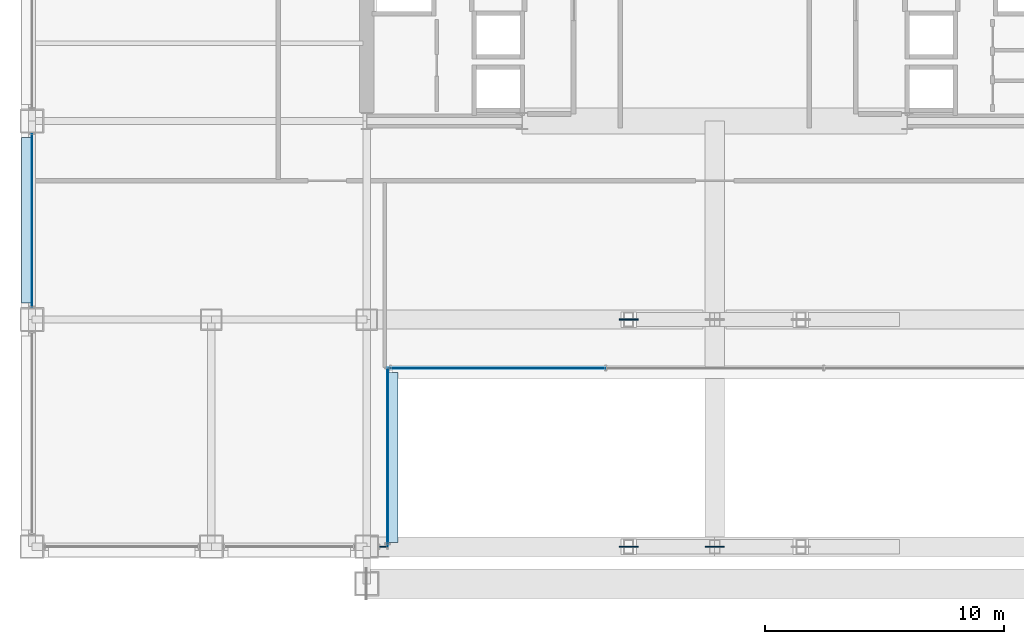
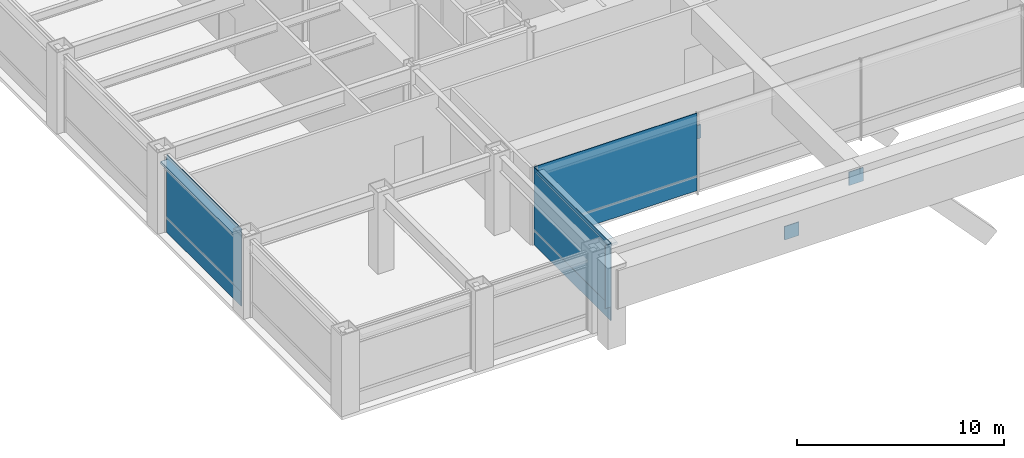
# One storey, part 24 of 37: 12 plates, 4 elements without a shape of their own.
"""IFC4 building model written with IfcOpenShell, lengths in metres."""

from ifc_helpers import new_model, si_unit, direction, frame, origin, origin_2d, place, context, subcontext, project, spatial, rectangle, extrude, material, layer, layer_set, type_object, element, aggregate, save


model = new_model("IFC4")

# Units and contexts
model_context = context("Model", 3, precision=1e-05, world=origin(), true_north=direction((0.0, 1.0)))
body_context = subcontext(model_context, "Body", "Model", "MODEL_VIEW")
ifc_project = project(units=[si_unit("LENGTHUNIT", "METRE"), si_unit("AREAUNIT", "SQUARE_METRE"), si_unit("VOLUMEUNIT", "CUBIC_METRE"), si_unit("PLANEANGLEUNIT", "RADIAN"), si_unit("MASSUNIT", "GRAM", prefix="KILO")], contexts=[model_context])

# Site, building, storey
site_placement = place(None, origin())
site = spatial("IfcSite", under=ifc_project, at=site_placement, CompositionType="ELEMENT")
building_placement = place(site_placement, origin())
building = spatial("IfcBuilding", under=site, at=building_placement, Name="Brelmoor Portico Tower", CompositionType="ELEMENT")
storey_placement = place(building_placement, frame((0.0, 0.0, 14.39990234375)))
storey = spatial("IfcBuildingStorey", under=building, at=storey_placement, Name="L03", CompositionType="ELEMENT", Elevation=14.39990234375)

# Curtain wall, plate
ifc_material_1 = material(Name="Anodised Aluminium Alloy 6063-T6", Category="aluminium")
ifc_layer_1 = layer(ifc_material_1, 0.179931640625)
ifc_layer_set_1 = layer_set([ifc_layer_1], Name="Anodised Aluminium Alloy 6063-T6")
curtain_wall_type = type_object("IfcCurtainWallType", Name="CW-PODIUM-ARCH", PredefinedType="NOTDEFINED", material=ifc_layer_set_1)
curtain_wall_1_placement = place(storey_placement, origin())
curtain_wall_1 = element("IfcCurtainWall", 1, at=curtain_wall_1_placement, inside=storey, type_object=curtain_wall_type, Name="L03 Curtain Wall CW-L03-01-3", PredefinedType="NOTDEFINED")
ifc_material_2 = material(Name="Double-Silver Low-E Insulated Glazing", Category="glass")
ifc_layer_2 = layer(ifc_material_2, 0.035888671875)
ifc_layer_set_2 = layer_set([ifc_layer_2], Name="Double-Silver Low-E Insulated Glazing")
plate_type_1 = type_object("IfcPlateType", Name="PT-CW-GLASS", PredefinedType="CURTAIN_PANEL", material=ifc_layer_set_2)
plate_1_placement = place(storey_placement, frame((-13.860107421875, -27.550048828125, 0.85009765625), z_axis=(0.0, 0.0, 1.0), x_axis=(1.0, 0.0, 0.0)))
plate_1 = element("IfcPlate", 2, at=plate_1_placement, type_object=plate_type_1, Name="CW-L03-01-3 Vision Glass Panel 00", PredefinedType="CURTAIN_PANEL", context=body_context, shape_type="SweptSolid", body=[
    extrude(rectangle(XDim=0.330078125, YDim=0.035888671875, at=origin_2d()), origin(), (0.0, 0.0, 1.0), 3.72998046875),
])
aggregate(curtain_wall_1, [plate_1])

curtain_wall_2_placement = place(storey_placement, origin())
curtain_wall_2 = element("IfcCurtainWall", 3, at=curtain_wall_2_placement, inside=storey, type_object=curtain_wall_type, Name="L03 Curtain Wall CW-L03-03", PredefinedType="NOTDEFINED")
plate_2_placement = place(storey_placement, frame((-13.679931640625, -23.81494140625, 0.85009765625), z_axis=(0.0, 0.0, 1.0), x_axis=(0.0, 1.0, 0.0)))
plate_2 = element("IfcPlate", 4, at=plate_2_placement, type_object=plate_type_1, Name="CW-L03-03 Vision Glass Panel 00", PredefinedType="CURTAIN_PANEL", context=body_context, shape_type="SweptSolid", body=[
    extrude(rectangle(XDim=7.43994140625, YDim=0.035888671875, at=origin_2d()), origin(), (0.0, 0.0, 1.0), 3.72998046875),
])

curtain_wall_3_placement = place(storey_placement, origin())
curtain_wall_3 = element("IfcCurtainWall", 5, at=curtain_wall_3_placement, inside=storey, type_object=curtain_wall_type, Name="L03 Curtain Wall CW-L03-05", PredefinedType="NOTDEFINED")
plate_3_placement = place(storey_placement, frame((-9.1201171875, -20.080078125, 0.85009765625), z_axis=(0.0, 0.0, 1.0), x_axis=(1.0, 0.0, 0.0)))
plate_3 = element("IfcPlate", 6, at=plate_3_placement, type_object=plate_type_1, Name="CW-L03-05 Vision Glass Panel 00", PredefinedType="CURTAIN_PANEL", context=body_context, shape_type="SweptSolid", body=[
    extrude(rectangle(XDim=9.090087890625, YDim=0.035888671875, at=origin_2d()), origin(), (0.0, 0.0, 1.0), 3.72998046875),
])

curtain_wall_4_placement = place(storey_placement, origin())
curtain_wall_4 = element("IfcCurtainWall", 7, at=curtain_wall_4_placement, inside=storey, type_object=curtain_wall_type, Name="L03 Curtain Wall CW-L03-11-2", PredefinedType="NOTDEFINED")
plate_4_placement = place(storey_placement, frame((-28.550048828125, -13.89990234375, 0.85009765625), z_axis=(0.0, 0.0, 1.0), x_axis=(0.0, 1.0, 0.0)))
plate_4 = element("IfcPlate", 8, at=plate_4_placement, type_object=plate_type_1, Name="CW-L03-11-2 Vision Glass Panel 00", PredefinedType="CURTAIN_PANEL", context=body_context, shape_type="SweptSolid", body=[
    extrude(rectangle(XDim=7.25, YDim=0.035888671875, at=origin_2d()), origin(), (0.0, 0.0, 1.0), 3.72998046875),
])

# Plate
ifc_material_3 = material(Name="Pale Champagne Anodised Aluminium Panel", Category="aluminium")
ifc_layer_3 = layer(ifc_material_3, 0.050048828125)
ifc_layer_set_3 = layer_set([ifc_layer_3], Name="Pale Champagne Anodised Aluminium Panel")
plate_type_2 = type_object("IfcPlateType", Name="PT-CW-SPANDREL", PredefinedType="SHEET", material=ifc_layer_set_3)
plate_5_placement = place(storey_placement, frame((-13.679931640625, -23.81494140625, 0.0), z_axis=(0.0, 0.0, 1.0), x_axis=(0.0, 1.0, 0.0)))
plate_5 = element("IfcPlate", 9, at=plate_5_placement, type_object=plate_type_2, Name="CW-L03-03 Spandrel Panel 00", PredefinedType="SHEET", context=body_context, shape_type="SweptSolid", body=[
    extrude(rectangle(XDim=7.43994140625, YDim=0.050048828125, at=origin_2d()), origin(), (0.0, 0.0, 1.0), 0.85009765625),
])

aggregate(curtain_wall_2, [plate_5, plate_2])

plate_6_placement = place(storey_placement, frame((-9.1201171875, -20.080078125, 0.0), z_axis=(0.0, 0.0, 1.0), x_axis=(1.0, 0.0, 0.0)))
plate_6 = element("IfcPlate", 10, at=plate_6_placement, type_object=plate_type_2, Name="CW-L03-05 Spandrel Panel 00", PredefinedType="SHEET", context=body_context, shape_type="SweptSolid", body=[
    extrude(rectangle(XDim=9.090087890625, YDim=0.050048828125, at=origin_2d()), origin(), (0.0, 0.0, 1.0), 0.85009765625),
])

aggregate(curtain_wall_3, [plate_6, plate_3])

plate_7_placement = place(storey_placement, frame((-28.550048828125, -13.89990234375, 0.0), z_axis=(0.0, 0.0, 1.0), x_axis=(0.0, 1.0, 0.0)))
plate_7 = element("IfcPlate", 11, at=plate_7_placement, type_object=plate_type_2, Name="CW-L03-11-2 Spandrel Panel 00", PredefinedType="SHEET", context=body_context, shape_type="SweptSolid", body=[
    extrude(rectangle(XDim=7.25, YDim=0.050048828125, at=origin_2d()), origin(), (0.0, 0.0, 1.0), 0.85009765625),
])

aggregate(curtain_wall_4, [plate_7, plate_4])

# Plates
ifc_material_4 = material(Name="Steel Q355B", Category="steel")
ifc_layer_4 = layer(ifc_material_4, 0.050048828125)
ifc_layer_set_4 = layer_set([ifc_layer_4], Name="Steel Q355B")
plate_type_3 = type_object("IfcPlateType", Name="PT-GUSSET-800", PredefinedType="USERDEFINED", material=ifc_layer_set_4)
for number, where, z_axis, x_axis, name in (
    (12, (-3.60009765625, -27.550048828125, 1.39990234375), (0.0, 0.0, 1.0), (1.0, 0.0, 0.0), "Portico Arch Gusset Plate S1-3"),
    (13, (0.0, -27.550048828125, 3.35498046875), (0.0, 0.0, 1.0), (1.0, 0.0, 0.0), "Portico Arch Gusset Plate S1-4"),
    (14, (-3.60009765625, -18.050048828125, 1.39990234375), (0.0, 0.0, 1.0), (1.0, 0.0, 0.0), "Portico Arch Gusset Plate S2-3"),
):
    element("IfcPlate", number, at=place(storey_placement, frame(where, z_axis=z_axis, x_axis=x_axis)), inside=storey, type_object=plate_type_3, Name=name, ObjectType="GUSSET PLATE", PredefinedType="USERDEFINED", context=body_context, shape_type="SweptSolid", body=[
        extrude(rectangle(XDim=0.800048828125, YDim=0.050048828125, at=origin_2d()), origin(), (0.0, 0.0, 1.0), 0.800048828125),
    ])
ifc_material_5 = material(Name="Pale Champagne Perforated Aluminium Solar Screen", Category="aluminium")
ifc_layer_5 = layer(ifc_material_5, 0.054931640625)
ifc_layer_set_5 = layer_set([ifc_layer_5], Name="Pale Champagne Perforated Aluminium Solar Screen")
plate_type_4 = type_object("IfcPlateType", Name="PT-SOLAR-LOUVRE", PredefinedType="SHEET", material=ifc_layer_set_5)
plate_8_placement = place(storey_placement, frame((-13.469970703125, -23.81494140625, 4.27001953125), z_axis=(0.0, 0.0, 1.0), x_axis=(0.0, 1.0, 0.0)))
element("IfcPlate", 15, at=plate_8_placement, inside=storey, type_object=plate_type_4, Name="CW-L03-03 Caribbean Brise-Soleil Solar Screen", PredefinedType="SHEET", context=body_context, shape_type="SweptSolid", body=[
    extrude(rectangle(XDim=7.110107421875, YDim=0.4599609375, at=origin_2d()), origin(), (0.0, 0.0, 1.0), 0.139892578125),
])
plate_9_placement = place(storey_placement, frame((-28.760009765625, -13.89990234375, 4.27001953125), z_axis=(0.0, 0.0, 1.0), x_axis=(0.0, 1.0, 0.0)))
element("IfcPlate", 16, at=plate_9_placement, inside=storey, type_object=plate_type_4, Name="CW-L03-11-2 Caribbean Brise-Soleil Solar Screen", PredefinedType="SHEET", context=body_context, shape_type="SweptSolid", body=[
    extrude(rectangle(XDim=6.919921875, YDim=0.4599609375, at=origin_2d()), origin(), (0.0, 0.0, 1.0), 0.139892578125),
])

save(model, "model.ifc")
